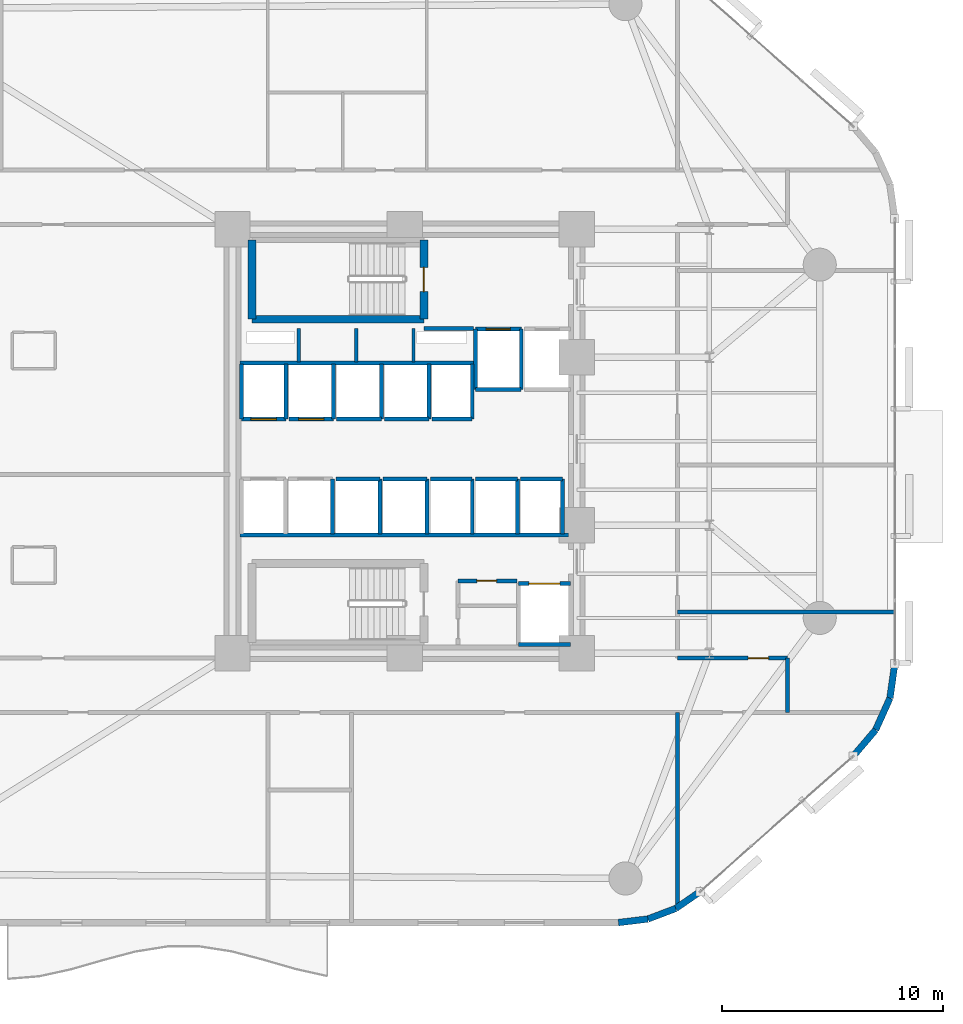
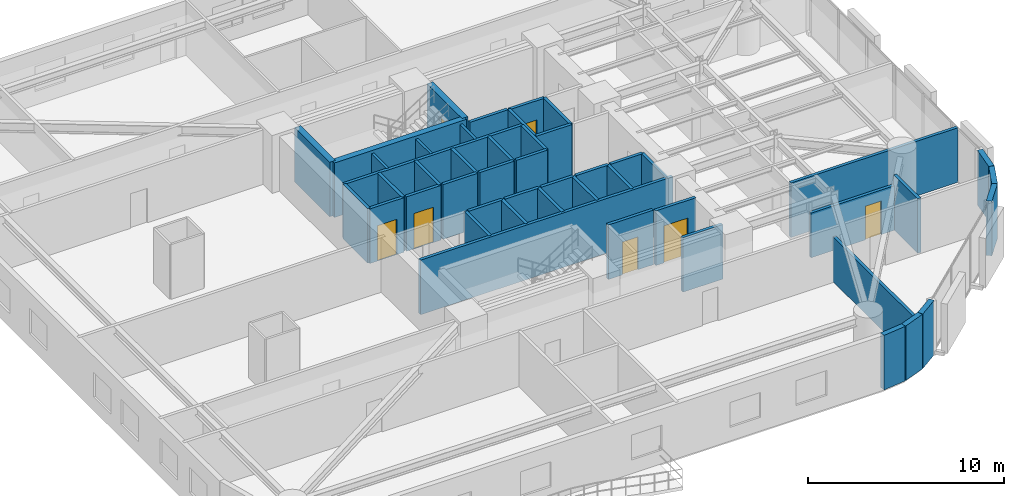
# One storey, part 11 of 16: 48 walls, 7 doors, 7 openings.
"""IFC4 building model written with IfcOpenShell, lengths in metres."""

from ifc_helpers import new_model, si_unit, direction, frame, frame_2d, origin, place, context, subcontext, project, spatial, rectangle, extrude, material, layer, layer_set, type_object, element, fill, save


model = new_model("IFC4")

# Units and contexts
model_context = context("Model", 3, precision=1e-05, world=origin(), true_north=direction((0.0, 1.0)))
body_context = subcontext(model_context, "Body", "Model", "MODEL_VIEW")
ifc_project = project(units=[si_unit("LENGTHUNIT", "METRE"), si_unit("AREAUNIT", "SQUARE_METRE"), si_unit("VOLUMEUNIT", "CUBIC_METRE"), si_unit("PLANEANGLEUNIT", "RADIAN"), si_unit("MASSUNIT", "GRAM", prefix="KILO")], contexts=[model_context])

# Site, building, storey
site_placement = place(None, origin())
site = spatial("IfcSite", under=ifc_project, at=site_placement, CompositionType="ELEMENT")
building_placement = place(site_placement, origin())
building = spatial("IfcBuilding", under=site, at=building_placement, Name="An Khanh Terracotta Commons", CompositionType="ELEMENT")
storey_placement = place(building_placement, frame((0.0, 0.0, 39.60009765625)))
storey = spatial("IfcBuildingStorey", under=building, at=storey_placement, Name="L10", CompositionType="ELEMENT", Elevation=39.60009765625)

# Walls
ifc_material_1 = material(Name="Fire-Rated Gypsum Board on Steel Stud", Category="steel")
ifc_layer_1 = layer(ifc_material_1, 0.179931640625, Name="Fire-Rated Gypsum Board on Steel Stud")
ifc_layer_set_1 = layer_set([ifc_layer_1], Name="Fire-Rated Gypsum Board on Steel Stud")
wall_type_1 = type_object("IfcWallType", Name="WALL-CORR-180", PredefinedType="PARTITIONING", material=ifc_layer_set_1)
wall_1_placement = place(storey_placement, frame((30.27001953125, 29.1201171875, 0.0), z_axis=(0.0, 0.0, 1.0), x_axis=(1.0, 0.0, 0.0)))
element("IfcWall", 1, at=wall_1_placement, inside=storey, type_object=wall_type_1, Name="L10 Core Wall FFLW-L10-S", PredefinedType="PARTITIONING", context=body_context, shape_type="SweptSolid", body=[
    extrude(rectangle(XDim=2.239990234375, YDim=0.179931640625, at=frame_2d((1.1201171875, 0.0))), origin(), (0.0, 0.0, 1.0), 3.39990234375),
])
wall_2_placement = place(storey_placement, frame((21.949951171875, 27.5400390625, 0.0), z_axis=(0.0, 0.0, 1.0), x_axis=(1.0, 0.0, 0.0)))
element("IfcWall", 2, at=wall_2_placement, inside=storey, type_object=wall_type_1, Name="L10 Core Wall RSRW-L10-S", PredefinedType="PARTITIONING", context=body_context, shape_type="SweptSolid", body=[
    extrude(rectangle(XDim=10.56005859375, YDim=0.179931640625, at=frame_2d((5.280029296875, 0.0))), origin(), (0.0, 0.0, 1.0), 3.39990234375),
])
wall_3_placement = place(storey_placement, frame((21.949951171875, 19.760009765625, 0.0), z_axis=(0.0, 0.0, 1.0), x_axis=(1.0, 0.0, 0.0)))
element("IfcWall", 3, at=wall_3_placement, inside=storey, type_object=wall_type_1, Name="L10 Core Wall SVW-L10-N", PredefinedType="PARTITIONING", context=body_context, shape_type="SweptSolid", body=[
    extrude(rectangle(XDim=14.8701171875, YDim=0.179931640625, at=frame_2d((7.43505859375, 0.0))), origin(), (0.0, 0.0, 1.0), 3.39990234375),
])

# Wall, opening, door
wall_4_placement = place(storey_placement, frame((31.820068359375, 17.679931640625, 0.0), z_axis=(0.0, 0.0, 1.0), x_axis=(1.0, 0.0, 0.0)))
wall_4 = element("IfcWall", 4, at=wall_4_placement, inside=storey, type_object=wall_type_1, Name="L10 Core Wall SSVCW-L10-N", PredefinedType="PARTITIONING", context=body_context, shape_type="SweptSolid", body=[
    extrude(rectangle(XDim=2.659912109375, YDim=0.179931640625, at=frame_2d((1.330078125, 0.0))), origin(), (0.0, 0.0, 1.0), 3.39990234375),
])
opening_1_placement = place(wall_4_placement, frame((0.85009765625, 0.0, 0.0)))
opening_1 = element("IfcOpeningElement", 5, at=opening_1_placement, cuts=wall_4, Name="Opening D-SV", PredefinedType="OPENING", context=body_context, shape_type="SweptSolid", body=[
    extrude(rectangle(XDim=0.89990234375, YDim=2.050048828125, at=frame_2d((0.449951171875, 1.02490234375))), frame((0.0, 0.099853515625, 0.0), z_axis=(0.0, -1.0, 0.0), x_axis=(1.0, 0.0, 0.0)), (0.0, 0.0, 1.0), 0.199951171875),
])
ifc_material_2 = material(Name="Fire-Rated Powder-Coated Steel Door", Category="steel")
door_type_1 = type_object("IfcDoorType", Name="DOOR-SERV-900", OperationType="NOTDEFINED", PredefinedType="DOOR", material=ifc_material_2)
door_1_placement = place(opening_1_placement, origin())
door_1 = element("IfcDoor", 6, at=door_1_placement, inside=storey, type_object=door_type_1, Name="L10 Core Cleaner Store Door", OperationType="SINGLE_SWING_RIGHT", OverallHeight=2.050048828125, OverallWidth=0.89990234375, PredefinedType="DOOR", context=body_context, shape_type="SweptSolid", body=[
    extrude(rectangle(XDim=0.89990234375, YDim=2.050048828125, at=frame_2d((0.449951171875, 1.02490234375))), frame((0.0, 0.02490234375, 0.0), z_axis=(0.0, -1.0, 0.0), x_axis=(1.0, 0.0, 0.0)), (0.0, 0.0, 1.0), 0.050048828125),
])
fill(opening_1, door_1)

wall_5_placement = place(storey_placement, frame((32.60009765625, 29.080078125, 0.0), z_axis=(0.0, 0.0, 1.0), x_axis=(1.0, 0.0, 0.0)))
wall_5 = element("IfcWall", 7, at=wall_5_placement, inside=storey, type_object=wall_type_1, Name="L10 Core Wall LSH-L10-FFL-01-N", PredefinedType="PARTITIONING", context=body_context, shape_type="SweptSolid", body=[
    extrude(rectangle(XDim=2.079833984375, YDim=0.179931640625, at=frame_2d((1.0400390625, 0.0))), origin(), (0.0, 0.0, 1.0), 3.39990234375),
])
opening_2_placement = place(wall_5_placement, frame((0.489990234375, 0.0, 0.0)))
opening_2 = element("IfcOpeningElement", 8, at=opening_2_placement, cuts=wall_5, Name="Opening LD-FFL-01-L10", PredefinedType="OPENING", context=body_context, shape_type="SweptSolid", body=[
    extrude(rectangle(XDim=1.10009765625, YDim=2.199951171875, at=frame_2d((0.550048828125, 1.10009765625))), frame((0.0, 0.099853515625, 0.0), z_axis=(0.0, -1.0, 0.0), x_axis=(1.0, 0.0, 0.0)), (0.0, 0.0, 1.0), 0.199951171875),
])
ifc_material_3 = material(Name="Brushed Stainless Steel Fire Landing Door", Category="steel")
door_type_2 = type_object("IfcDoorType", Name="DOOR-LD-FFL-1100", OperationType="NOTDEFINED", PredefinedType="DOOR", material=ifc_material_3)
door_2_placement = place(opening_2_placement, origin())
door_2 = element("IfcDoor", 9, at=door_2_placement, inside=storey, type_object=door_type_2, Name="L10 Lift FFL-01 Sliding Landing Door", OperationType="DOUBLE_DOOR_SLIDING", OverallHeight=2.199951171875, OverallWidth=1.10009765625, PredefinedType="DOOR", context=body_context, shape_type="SweptSolid", body=[
    extrude(rectangle(XDim=1.10009765625, YDim=2.199951171875, at=frame_2d((0.550048828125, 1.10009765625))), frame((0.0, 0.02490234375, 0.0), z_axis=(0.0, -1.0, 0.0), x_axis=(1.0, 0.0, 0.0)), (0.0, 0.0, 1.0), 0.050048828125),
])
fill(opening_2, door_2)

# Walls
wall_6_placement = place(storey_placement, frame((34.679931640625, 26.35009765625, 0.0), z_axis=(0.0, 0.0, 1.0), x_axis=(-1.0, 0.0, 0.0)))
element("IfcWall", 10, at=wall_6_placement, inside=storey, type_object=wall_type_1, Name="L10 Core Wall LSH-L10-FFL-01-S", PredefinedType="PARTITIONING", context=body_context, shape_type="SweptSolid", body=[
    extrude(rectangle(XDim=2.079833984375, YDim=0.179931640625, at=frame_2d((1.0400390625, 0.0))), origin(), (0.0, 0.0, 1.0), 3.39990234375),
])
for number, where, z_axis, x_axis, name in (
    (11, (34.679931640625, 26.35009765625, 0.0), (0.0, 0.0, 1.0), (0.0, 1.0, 0.0), "L10 Core Wall LSH-L10-FFL-01-E"),
    (12, (32.60009765625, 29.080078125, 0.0), (0.0, 0.0, 1.0), (0.0, -1.0, 0.0), "L10 Core Wall LSH-L10-FFL-01-W"),
):
    element("IfcWall", number, at=place(storey_placement, frame(where, z_axis=z_axis, x_axis=x_axis)), inside=storey, type_object=wall_type_1, Name=name, PredefinedType="PARTITIONING", context=body_context, shape_type="SweptSolid", body=[
        extrude(rectangle(XDim=2.72998046875, YDim=0.179931640625, at=frame_2d((1.364990234375, 0.0))), origin(), (0.0, 0.0, 1.0), 3.39990234375),
    ])

# Wall, opening, door
wall_7_placement = place(storey_placement, frame((34.550048828125, 17.550048828125, 0.0), z_axis=(0.0, 0.0, 1.0), x_axis=(1.0, 0.0, 0.0)))
wall_7 = element("IfcWall", 13, at=wall_7_placement, inside=storey, type_object=wall_type_1, Name="L10 Core Wall LSH-L10-SVL-01-N", PredefinedType="PARTITIONING", context=body_context, shape_type="SweptSolid", body=[
    extrude(rectangle(XDim=2.349853515625, YDim=0.179931640625, at=frame_2d((1.1748046875, 0.0))), origin(), (0.0, 0.0, 1.0), 3.39990234375),
])
opening_3_placement = place(wall_7_placement, frame((0.47509765625, 0.0, 0.0)))
opening_3 = element("IfcOpeningElement", 14, at=opening_3_placement, cuts=wall_7, Name="Opening LD-SVL-01-L10", PredefinedType="OPENING", context=body_context, shape_type="SweptSolid", body=[
    extrude(rectangle(XDim=1.39990234375, YDim=2.300048828125, at=frame_2d((0.699951171875, 1.14990234375))), frame((0.0, 0.099853515625, 0.0), z_axis=(0.0, -1.0, 0.0), x_axis=(1.0, 0.0, 0.0)), (0.0, 0.0, 1.0), 0.199951171875),
])
ifc_material_4 = material(Name="Heavy-Duty Stainless Steel Goods Landing Door", Category="steel")
door_type_3 = type_object("IfcDoorType", Name="DOOR-LD-SVL-1400", OperationType="NOTDEFINED", PredefinedType="DOOR", material=ifc_material_4)
door_3_placement = place(opening_3_placement, origin())
door_3 = element("IfcDoor", 15, at=door_3_placement, inside=storey, type_object=door_type_3, Name="L10 Lift SVL-01 Sliding Landing Door", OperationType="DOUBLE_DOOR_SLIDING", OverallHeight=2.300048828125, OverallWidth=1.39990234375, PredefinedType="DOOR", context=body_context, shape_type="SweptSolid", body=[
    extrude(rectangle(XDim=1.39990234375, YDim=2.300048828125, at=frame_2d((0.699951171875, 1.14990234375))), frame((0.0, 0.02490234375, 0.0), z_axis=(0.0, -1.0, 0.0), x_axis=(1.0, 0.0, 0.0)), (0.0, 0.0, 1.0), 0.050048828125),
])
fill(opening_3, door_3)

# Wall
wall_8_placement = place(storey_placement, frame((36.89990234375, 14.800048828125, 0.0), z_axis=(0.0, 0.0, 1.0), x_axis=(-1.0, 0.0, 0.0)))
element("IfcWall", 16, at=wall_8_placement, inside=storey, type_object=wall_type_1, Name="L10 Core Wall LSH-L10-SVL-01-S", PredefinedType="PARTITIONING", context=body_context, shape_type="SweptSolid", body=[
    extrude(rectangle(XDim=2.349853515625, YDim=0.179931640625, at=frame_2d((1.1748046875, 0.0))), origin(), (0.0, 0.0, 1.0), 3.39990234375),
])

# Wall, opening, door
wall_9_placement = place(storey_placement, frame((24.02001953125, 25.0, 0.0), z_axis=(0.0, 0.0, 1.0), x_axis=(-1.0, 0.0, 0.0)))
wall_9 = element("IfcWall", 17, at=wall_9_placement, inside=storey, type_object=wall_type_1, Name="L10 Core Wall LSH-L10-PL-L1-S", PredefinedType="PARTITIONING", context=body_context, shape_type="SweptSolid", body=[
    extrude(rectangle(XDim=2.02001953125, YDim=0.179931640625, at=frame_2d((1.010009765625, 0.0))), origin(), (0.0, 0.0, 1.0), 3.39990234375),
])
opening_4_placement = place(wall_9_placement, frame((0.43505859375, 0.0, 0.0)))
opening_4 = element("IfcOpeningElement", 18, at=opening_4_placement, cuts=wall_9, Name="Opening LD-PL-L1-L10", PredefinedType="OPENING", context=body_context, shape_type="SweptSolid", body=[
    extrude(rectangle(XDim=1.14990234375, YDim=2.199951171875, at=frame_2d((0.574951171875, 1.10009765625))), frame((0.0, 0.099853515625, 0.0), z_axis=(0.0, -1.0, 0.0), x_axis=(1.0, 0.0, 0.0)), (0.0, 0.0, 1.0), 0.199951171875),
])
ifc_material_5 = material(Name="Brushed Stainless Steel Passenger Landing Door", Category="steel")
door_type_4 = type_object("IfcDoorType", Name="DOOR-LD-PAX-1150", OperationType="NOTDEFINED", PredefinedType="DOOR", material=ifc_material_5)
door_4_placement = place(opening_4_placement, origin())
door_4 = element("IfcDoor", 19, at=door_4_placement, inside=storey, type_object=door_type_4, Name="L10 Lift PL-L1 Sliding Landing Door", OperationType="DOUBLE_DOOR_SLIDING", OverallHeight=2.199951171875, OverallWidth=1.14990234375, PredefinedType="DOOR", context=body_context, shape_type="SweptSolid", body=[
    extrude(rectangle(XDim=1.14990234375, YDim=2.199951171875, at=frame_2d((0.574951171875, 1.10009765625))), frame((0.0, 0.02490234375, 0.0), z_axis=(0.0, -1.0, 0.0), x_axis=(1.0, 0.0, 0.0)), (0.0, 0.0, 1.0), 0.050048828125),
])
fill(opening_4, door_4)

# Walls
for number, where, z_axis, x_axis, name in (
    (20, (24.02001953125, 25.0, 0.0), (0.0, 0.0, 1.0), (0.0, 1.0, 0.0), "L10 Core Wall LSH-L10-PL-L1-E"),
    (21, (22.0, 27.5, 0.0), (0.0, 0.0, 1.0), (0.0, -1.0, 0.0), "L10 Core Wall LSH-L10-PL-L1-W"),
):
    element("IfcWall", number, at=place(storey_placement, frame(where, z_axis=z_axis, x_axis=x_axis)), inside=storey, type_object=wall_type_1, Name=name, PredefinedType="PARTITIONING", context=body_context, shape_type="SweptSolid", body=[
        extrude(rectangle(XDim=2.5, YDim=0.179931640625, at=frame_2d((1.25, 0.0))), origin(), (0.0, 0.0, 1.0), 3.39990234375),
    ])

# Wall, opening, door
wall_10_placement = place(storey_placement, frame((26.179931640625, 25.0, 0.0), z_axis=(0.0, 0.0, 1.0), x_axis=(-1.0, 0.0, 0.0)))
wall_10 = element("IfcWall", 22, at=wall_10_placement, inside=storey, type_object=wall_type_1, Name="L10 Core Wall LSH-L10-PL-L2-S", PredefinedType="PARTITIONING", context=body_context, shape_type="SweptSolid", body=[
    extrude(rectangle(XDim=2.02001953125, YDim=0.179931640625, at=frame_2d((1.010009765625, 0.0))), origin(), (0.0, 0.0, 1.0), 3.39990234375),
])
opening_5_placement = place(wall_10_placement, frame((0.43505859375, 0.0, 0.0)))
opening_5 = element("IfcOpeningElement", 23, at=opening_5_placement, cuts=wall_10, Name="Opening LD-PL-L2-L10", PredefinedType="OPENING", context=body_context, shape_type="SweptSolid", body=[
    extrude(rectangle(XDim=1.14990234375, YDim=2.199951171875, at=frame_2d((0.574951171875, 1.10009765625))), frame((0.0, 0.099853515625, 0.0), z_axis=(0.0, -1.0, 0.0), x_axis=(1.0, 0.0, 0.0)), (0.0, 0.0, 1.0), 0.199951171875),
])
door_5_placement = place(opening_5_placement, origin())
door_5 = element("IfcDoor", 24, at=door_5_placement, inside=storey, type_object=door_type_4, Name="L10 Lift PL-L2 Sliding Landing Door", OperationType="DOUBLE_DOOR_SLIDING", OverallHeight=2.199951171875, OverallWidth=1.14990234375, PredefinedType="DOOR", context=body_context, shape_type="SweptSolid", body=[
    extrude(rectangle(XDim=1.14990234375, YDim=2.199951171875, at=frame_2d((0.574951171875, 1.10009765625))), frame((0.0, 0.02490234375, 0.0), z_axis=(0.0, -1.0, 0.0), x_axis=(1.0, 0.0, 0.0)), (0.0, 0.0, 1.0), 0.050048828125),
])
fill(opening_5, door_5)

# Walls
for number, where, z_axis, x_axis, name in (
    (25, (26.179931640625, 25.0, 0.0), (0.0, 0.0, 1.0), (0.0, 1.0, 0.0), "L10 Core Wall LSH-L10-PL-L2-E"),
    (26, (26.139892578125, 19.800048828125, 0.0), (0.0, 0.0, 1.0), (0.0, 1.0, 0.0), "L10 Core Wall LSH-L10-PL-L4-E"),
):
    element("IfcWall", number, at=place(storey_placement, frame(where, z_axis=z_axis, x_axis=x_axis)), inside=storey, type_object=wall_type_1, Name=name, PredefinedType="PARTITIONING", context=body_context, shape_type="SweptSolid", body=[
        extrude(rectangle(XDim=2.5, YDim=0.179931640625, at=frame_2d((1.25, 0.0))), origin(), (0.0, 0.0, 1.0), 3.39990234375),
    ])
wall_11_placement = place(storey_placement, frame((28.340087890625, 25.0, 0.0), z_axis=(0.0, 0.0, 1.0), x_axis=(-1.0, 0.0, 0.0)))
element("IfcWall", 27, at=wall_11_placement, inside=storey, type_object=wall_type_1, Name="L10 Core Wall LSH-L10-PL-M1-S", PredefinedType="PARTITIONING", context=body_context, shape_type="SweptSolid", body=[
    extrude(rectangle(XDim=2.02001953125, YDim=0.179931640625, at=frame_2d((1.010009765625, 0.0))), origin(), (0.0, 0.0, 1.0), 3.39990234375),
])
wall_12_placement = place(storey_placement, frame((28.340087890625, 25.0, 0.0), z_axis=(0.0, 0.0, 1.0), x_axis=(0.0, 1.0, 0.0)))
element("IfcWall", 28, at=wall_12_placement, inside=storey, type_object=wall_type_1, Name="L10 Core Wall LSH-L10-PL-M1-E", PredefinedType="PARTITIONING", context=body_context, shape_type="SweptSolid", body=[
    extrude(rectangle(XDim=2.5, YDim=0.179931640625, at=frame_2d((1.25, 0.0))), origin(), (0.0, 0.0, 1.0), 3.39990234375),
])
wall_13_placement = place(storey_placement, frame((30.5, 25.0, 0.0), z_axis=(0.0, 0.0, 1.0), x_axis=(-1.0, 0.0, 0.0)))
element("IfcWall", 29, at=wall_13_placement, inside=storey, type_object=wall_type_1, Name="L10 Core Wall LSH-L10-PL-M2-S", PredefinedType="PARTITIONING", context=body_context, shape_type="SweptSolid", body=[
    extrude(rectangle(XDim=2.02001953125, YDim=0.179931640625, at=frame_2d((1.010009765625, 0.0))), origin(), (0.0, 0.0, 1.0), 3.39990234375),
])
wall_14_placement = place(storey_placement, frame((30.5, 25.0, 0.0), z_axis=(0.0, 0.0, 1.0), x_axis=(0.0, 1.0, 0.0)))
element("IfcWall", 30, at=wall_14_placement, inside=storey, type_object=wall_type_1, Name="L10 Core Wall LSH-L10-PL-M2-E", PredefinedType="PARTITIONING", context=body_context, shape_type="SweptSolid", body=[
    extrude(rectangle(XDim=2.5, YDim=0.179931640625, at=frame_2d((1.25, 0.0))), origin(), (0.0, 0.0, 1.0), 3.39990234375),
])
wall_15_placement = place(storey_placement, frame((26.280029296875, 22.300048828125, 0.0), z_axis=(0.0, 0.0, 1.0), x_axis=(1.0, 0.0, 0.0)))
element("IfcWall", 31, at=wall_15_placement, inside=storey, type_object=wall_type_1, Name="L10 Core Wall LSH-L10-PL-M3-N", PredefinedType="PARTITIONING", context=body_context, shape_type="SweptSolid", body=[
    extrude(rectangle(XDim=2.0, YDim=0.179931640625, at=frame_2d((1.0, 0.0))), origin(), (0.0, 0.0, 1.0), 3.39990234375),
])
wall_16_placement = place(storey_placement, frame((28.280029296875, 19.800048828125, 0.0), z_axis=(0.0, 0.0, 1.0), x_axis=(0.0, 1.0, 0.0)))
element("IfcWall", 32, at=wall_16_placement, inside=storey, type_object=wall_type_1, Name="L10 Core Wall LSH-L10-PL-M3-E", PredefinedType="PARTITIONING", context=body_context, shape_type="SweptSolid", body=[
    extrude(rectangle(XDim=2.5, YDim=0.179931640625, at=frame_2d((1.25, 0.0))), origin(), (0.0, 0.0, 1.0), 3.39990234375),
])
wall_17_placement = place(storey_placement, frame((28.419921875, 22.300048828125, 0.0), z_axis=(0.0, 0.0, 1.0), x_axis=(1.0, 0.0, 0.0)))
element("IfcWall", 33, at=wall_17_placement, inside=storey, type_object=wall_type_1, Name="L10 Core Wall LSH-L10-PL-M4-N", PredefinedType="PARTITIONING", context=body_context, shape_type="SweptSolid", body=[
    extrude(rectangle(XDim=2.0, YDim=0.179931640625, at=frame_2d((1.0, 0.0))), origin(), (0.0, 0.0, 1.0), 3.39990234375),
])
wall_18_placement = place(storey_placement, frame((30.419921875, 19.800048828125, 0.0), z_axis=(0.0, 0.0, 1.0), x_axis=(0.0, 1.0, 0.0)))
element("IfcWall", 34, at=wall_18_placement, inside=storey, type_object=wall_type_1, Name="L10 Core Wall LSH-L10-PL-M4-E", PredefinedType="PARTITIONING", context=body_context, shape_type="SweptSolid", body=[
    extrude(rectangle(XDim=2.5, YDim=0.179931640625, at=frame_2d((1.25, 0.0))), origin(), (0.0, 0.0, 1.0), 3.39990234375),
])
wall_19_placement = place(storey_placement, frame((32.4599609375, 25.0, 0.0), z_axis=(0.0, 0.0, 1.0), x_axis=(-1.0, 0.0, 0.0)))
element("IfcWall", 35, at=wall_19_placement, inside=storey, type_object=wall_type_1, Name="L10 Core Wall LSH-L10-PL-H1-S", PredefinedType="PARTITIONING", context=body_context, shape_type="SweptSolid", body=[
    extrude(rectangle(XDim=1.820068359375, YDim=0.179931640625, at=frame_2d((0.91015625, 0.0))), origin(), (0.0, 0.0, 1.0), 3.39990234375),
])
wall_20_placement = place(storey_placement, frame((32.4599609375, 25.0, 0.0), z_axis=(0.0, 0.0, 1.0), x_axis=(0.0, 1.0, 0.0)))
element("IfcWall", 36, at=wall_20_placement, inside=storey, type_object=wall_type_1, Name="L10 Core Wall LSH-L10-PL-H1-E", PredefinedType="PARTITIONING", context=body_context, shape_type="SweptSolid", body=[
    extrude(rectangle(XDim=2.5, YDim=0.179931640625, at=frame_2d((1.25, 0.0))), origin(), (0.0, 0.0, 1.0), 3.39990234375),
])
wall_21_placement = place(storey_placement, frame((30.56005859375, 22.300048828125, 0.0), z_axis=(0.0, 0.0, 1.0), x_axis=(1.0, 0.0, 0.0)))
element("IfcWall", 37, at=wall_21_placement, inside=storey, type_object=wall_type_1, Name="L10 Core Wall LSH-L10-PL-H2-N", PredefinedType="PARTITIONING", context=body_context, shape_type="SweptSolid", body=[
    extrude(rectangle(XDim=1.89990234375, YDim=0.179931640625, at=frame_2d((0.949951171875, 0.0))), origin(), (0.0, 0.0, 1.0), 3.39990234375),
])
wall_22_placement = place(storey_placement, frame((32.4599609375, 19.800048828125, 0.0), z_axis=(0.0, 0.0, 1.0), x_axis=(0.0, 1.0, 0.0)))
element("IfcWall", 38, at=wall_22_placement, inside=storey, type_object=wall_type_1, Name="L10 Core Wall LSH-L10-PL-H2-E", PredefinedType="PARTITIONING", context=body_context, shape_type="SweptSolid", body=[
    extrude(rectangle(XDim=2.5, YDim=0.179931640625, at=frame_2d((1.25, 0.0))), origin(), (0.0, 0.0, 1.0), 3.39990234375),
])
wall_23_placement = place(storey_placement, frame((32.60009765625, 22.300048828125, 0.0), z_axis=(0.0, 0.0, 1.0), x_axis=(1.0, 0.0, 0.0)))
element("IfcWall", 39, at=wall_23_placement, inside=storey, type_object=wall_type_1, Name="L10 Core Wall LSH-L10-PL-H3-N", PredefinedType="PARTITIONING", context=body_context, shape_type="SweptSolid", body=[
    extrude(rectangle(XDim=1.89990234375, YDim=0.179931640625, at=frame_2d((0.949951171875, 0.0))), origin(), (0.0, 0.0, 1.0), 3.39990234375),
])
wall_24_placement = place(storey_placement, frame((34.5, 19.800048828125, 0.0), z_axis=(0.0, 0.0, 1.0), x_axis=(0.0, 1.0, 0.0)))
element("IfcWall", 40, at=wall_24_placement, inside=storey, type_object=wall_type_1, Name="L10 Core Wall LSH-L10-PL-H3-E", PredefinedType="PARTITIONING", context=body_context, shape_type="SweptSolid", body=[
    extrude(rectangle(XDim=2.5, YDim=0.179931640625, at=frame_2d((1.25, 0.0))), origin(), (0.0, 0.0, 1.0), 3.39990234375),
])
wall_25_placement = place(storey_placement, frame((34.639892578125, 22.300048828125, 0.0), z_axis=(0.0, 0.0, 1.0), x_axis=(1.0, 0.0, 0.0)))
element("IfcWall", 41, at=wall_25_placement, inside=storey, type_object=wall_type_1, Name="L10 Core Wall LSH-L10-PL-H4-N", PredefinedType="PARTITIONING", context=body_context, shape_type="SweptSolid", body=[
    extrude(rectangle(XDim=1.900146484375, YDim=0.179931640625, at=frame_2d((0.9501953125, 0.0))), origin(), (0.0, 0.0, 1.0), 3.39990234375),
])
wall_26_placement = place(storey_placement, frame((36.5400390625, 19.800048828125, 0.0), z_axis=(0.0, 0.0, 1.0), x_axis=(0.0, 1.0, 0.0)))
element("IfcWall", 42, at=wall_26_placement, inside=storey, type_object=wall_type_1, Name="L10 Core Wall LSH-L10-PL-H4-E", PredefinedType="PARTITIONING", context=body_context, shape_type="SweptSolid", body=[
    extrude(rectangle(XDim=2.5, YDim=0.179931640625, at=frame_2d((1.25, 0.0))), origin(), (0.0, 0.0, 1.0), 3.39990234375),
])

# Wall, opening, door
wall_27_placement = place(storey_placement, frame((41.75, 14.179931640625, 0.0), z_axis=(0.0, 0.0, 1.0), x_axis=(1.0, 0.0, 0.0)))
wall_27 = element("IfcWall", 43, at=wall_27_placement, inside=storey, type_object=wall_type_1, Name="L10 Interior Partition IW-L10-E004", PredefinedType="PARTITIONING", context=body_context, shape_type="SweptSolid", body=[
    extrude(rectangle(XDim=5.0, YDim=0.179931640625, at=frame_2d((2.5, 0.0))), origin(), (0.0, 0.0, 1.0), 2.781982421875),
])
opening_6_placement = place(wall_27_placement, frame((3.208984375, 0.0, 0.0)))
opening_6 = element("IfcOpeningElement", 44, at=opening_6_placement, cuts=wall_27, Name="Opening D-RM", PredefinedType="OPENING", context=body_context, shape_type="SweptSolid", body=[
    extrude(rectangle(XDim=0.919921875, YDim=2.10009765625, at=frame_2d((0.4599609375, 1.050048828125))), frame((0.0, 0.099853515625, 0.0), z_axis=(0.0, -1.0, 0.0), x_axis=(1.0, 0.0, 0.0)), (0.0, 0.0, 1.0), 0.199951171875),
])
ifc_material_6 = material(Name="Engineered Hardwood Timber Leaf", Category="wood")
door_type_5 = type_object("IfcDoorType", Name="DOOR-INT-920", OperationType="NOTDEFINED", PredefinedType="DOOR", material=ifc_material_6)
door_6_placement = place(opening_6_placement, origin())
door_6 = element("IfcDoor", 45, at=door_6_placement, inside=storey, type_object=door_type_5, Name="L10 FAN1 Co-Living Private Bedroom Door", OperationType="SINGLE_SWING_LEFT", OverallHeight=2.10009765625, OverallWidth=0.919921875, PredefinedType="DOOR", context=body_context, shape_type="SweptSolid", body=[
    extrude(rectangle(XDim=0.919921875, YDim=2.10009765625, at=frame_2d((0.4599609375, 1.050048828125))), frame((0.0, 0.02490234375, 0.0), z_axis=(0.0, -1.0, 0.0), x_axis=(1.0, 0.0, 0.0)), (0.0, 0.0, 1.0), 0.050048828125),
])
fill(opening_6, door_6)

# Walls
wall_28_placement = place(storey_placement, frame((41.75, 16.258056640625, 0.0), z_axis=(0.0, 0.0, 1.0), x_axis=(1.0, 0.0, 0.0)))
element("IfcWall", 46, at=wall_28_placement, inside=storey, type_object=wall_type_1, Name="L10 Interior Partition IW-L10-E005", PredefinedType="PARTITIONING", context=body_context, shape_type="SweptSolid", body=[
    extrude(rectangle(XDim=9.85009765625, YDim=0.179931640625, at=frame_2d((4.925048828125, 0.0))), origin(), (0.0, 0.0, 1.0), 3.39990234375),
])
wall_29_placement = place(storey_placement, frame((41.75, 2.888916015625, 0.0), z_axis=(0.0, 0.0, 1.0), x_axis=(0.0, 1.0, 0.0)))
element("IfcWall", 47, at=wall_29_placement, inside=storey, type_object=wall_type_1, Name="L10 Interior Partition IW-L10-E021", PredefinedType="PARTITIONING", context=body_context, shape_type="SweptSolid", body=[
    extrude(rectangle(XDim=8.8310546875, YDim=0.179931640625, at=frame_2d((4.41552734375, 0.0))), origin(), (0.0, 0.0, 1.0), 2.781982421875),
])
wall_30_placement = place(storey_placement, frame((46.75, 11.719970703125, 0.0), z_axis=(0.0, 0.0, 1.0), x_axis=(0.0, 1.0, 0.0)))
element("IfcWall", 48, at=wall_30_placement, inside=storey, type_object=wall_type_1, Name="L10 Interior Partition IW-L10-E024", PredefinedType="PARTITIONING", context=body_context, shape_type="SweptSolid", body=[
    extrude(rectangle(XDim=2.4599609375, YDim=0.179931640625, at=frame_2d((1.22998046875, 0.0))), origin(), (0.0, 0.0, 1.0), 3.39990234375),
])
ifc_material_7 = material(Name="Precast concrete C40/50", Category="concrete")
ifc_layer_2 = layer(ifc_material_7, 0.300048828125, Name="Precast concrete C40/50")
ifc_layer_set_2 = layer_set([ifc_layer_2], Name="Precast concrete C40/50")
wall_type_2 = type_object("IfcWallType", Name="WALL-EXT-300", PredefinedType="SOLIDWALL", material=ifc_layer_set_2)
wall_31_placement = place(storey_placement, frame((39.0791015625, 2.199951171875, 0.0), z_axis=(0.0, 0.0, 1.0), x_axis=(0.992739027259, 0.120288086515, 0.0)))
element("IfcWall", 49, at=wall_31_placement, inside=storey, type_object=wall_type_2, Name="L10 Insulated Terracotta Exterior Wall 5", PredefinedType="SOLIDWALL", context=body_context, shape_type="SweptSolid", body=[
    extrude(rectangle(XDim=1.34765625, YDim=0.300048828125, at=frame_2d((0.673828125, 0.0))), origin(), (0.0, 0.0, 1.0), 3.39990234375),
])
wall_32_placement = place(storey_placement, frame((40.4169921875, 2.362060546875, 0.0), z_axis=(0.0, 0.0, 1.0), x_axis=(0.935156721165, 0.354234254216, 0.0)))
element("IfcWall", 50, at=wall_32_placement, inside=storey, type_object=wall_type_2, Name="L10 Insulated Terracotta Exterior Wall 6", PredefinedType="SOLIDWALL", context=body_context, shape_type="SweptSolid", body=[
    extrude(rectangle(XDim=1.349365234375, YDim=0.300048828125, at=frame_2d((0.6748046875, 0.0))), origin(), (0.0, 0.0, 1.0), 3.39990234375),
])
wall_33_placement = place(storey_placement, frame((41.678955078125, 2.840087890625, 0.0), z_axis=(0.0, 0.0, 1.0), x_axis=(0.823116500192, 0.567872544777, 0.0)))
element("IfcWall", 51, at=wall_33_placement, inside=storey, type_object=wall_type_2, Name="L10 Insulated Terracotta Exterior Wall 7", PredefinedType="SOLIDWALL", context=body_context, shape_type="SweptSolid", body=[
    extrude(rectangle(XDim=1.3486328125, YDim=0.300048828125, at=frame_2d((0.67431640625, 0.0))), origin(), (0.0, 0.0, 1.0), 3.39990234375),
])
wall_34_placement = place(storey_placement, frame((49.7099609375, 9.72802734375, 0.0), z_axis=(0.0, 0.0, 1.0), x_axis=(0.648389989909, 0.7613083613, 0.0)))
element("IfcWall", 52, at=wall_34_placement, inside=storey, type_object=wall_type_2, Name="L10 Insulated Terracotta Exterior Wall 9", PredefinedType="SOLIDWALL", context=body_context, shape_type="SweptSolid", body=[
    extrude(rectangle(XDim=1.576171875, YDim=0.300048828125, at=frame_2d((0.7880859375, 0.0))), origin(), (0.0, 0.0, 1.0), 3.39990234375),
])
wall_35_placement = place(storey_placement, frame((50.73193359375, 10.927978515625, 0.0), z_axis=(0.0, 0.0, 1.0), x_axis=(0.410996558744, 0.911636895206, 0.0)))
element("IfcWall", 53, at=wall_35_placement, inside=storey, type_object=wall_type_2, Name="L10 Insulated Terracotta Exterior Wall 10", PredefinedType="SOLIDWALL", context=body_context, shape_type="SweptSolid", body=[
    extrude(rectangle(XDim=1.57421875, YDim=0.300048828125, at=frame_2d((0.787109375, 0.0))), origin(), (0.0, 0.0, 1.0), 3.39990234375),
])
wall_36_placement = place(storey_placement, frame((51.37890625, 12.363037109375, 0.0), z_axis=(0.0, 0.0, 1.0), x_axis=(0.140380048512, 0.990097693149, 0.0)))
element("IfcWall", 54, at=wall_36_placement, inside=storey, type_object=wall_type_2, Name="L10 Insulated Terracotta Exterior Wall 11", PredefinedType="SOLIDWALL", context=body_context, shape_type="SweptSolid", body=[
    extrude(rectangle(XDim=1.57568359375, YDim=0.300048828125, at=frame_2d((0.787841796875, 0.0))), origin(), (0.0, 0.0, 1.0), 3.39990234375),
])
ifc_material_8 = material(Name="Acoustic Gypsum Board Partition")
ifc_layer_3 = layer(ifc_material_8, 0.14990234375, Name="Acoustic Gypsum Board Partition")
ifc_layer_set_3 = layer_set([ifc_layer_3], Name="Acoustic Gypsum Board Partition")
wall_type_3 = type_object("IfcWallType", Name="WALL-PART-150", PredefinedType="PARTITIONING", material=ifc_layer_set_3)
for number, where, z_axis, x_axis, name in (
    (55, (24.60009765625, 27.60009765625, 0.0), (0.0, 0.0, 1.0), (0.0, 1.0, 0.0), "L10 Core Wall RSRW-L10-D1"),
    (56, (27.199951171875, 27.60009765625, 0.0), (0.0, 0.0, 1.0), (0.0, 1.0, 0.0), "L10 Core Wall RSRW-L10-D2"),
    (57, (29.800048828125, 27.60009765625, 0.0), (0.0, 0.0, 1.0), (0.0, 1.0, 0.0), "L10 Core Wall RSRW-L10-D3"),
):
    element("IfcWall", number, at=place(storey_placement, frame(where, z_axis=z_axis, x_axis=x_axis)), inside=storey, type_object=wall_type_3, Name=name, PredefinedType="PARTITIONING", context=body_context, shape_type="SweptSolid", body=[
        extrude(rectangle(XDim=1.52001953125, YDim=0.14990234375, at=frame_2d((0.760009765625, 0.0))), origin(), (0.0, 0.0, 1.0), 3.39990234375),
    ])
ifc_material_9 = material(Name="Concrete C50/60", Category="concrete")
ifc_layer_4 = layer(ifc_material_9, 0.35009765625, Name="Concrete C50/60")
ifc_layer_set_4 = layer_set([ifc_layer_4], Name="Concrete C50/60")
wall_type_4 = type_object("IfcWallType", Name="WALL-SHAFT-350", PredefinedType="SOLIDWALL", material=ifc_layer_set_4)
wall_37_placement = place(storey_placement, frame((22.47998046875, 29.530029296875, 0.0), z_axis=(0.0, 0.0, 1.0), x_axis=(1.0, 0.0, 0.0)))
element("IfcWall", 58, at=wall_37_placement, inside=storey, type_object=wall_type_4, Name="L10 Core Wall STW-L10-N-S", PredefinedType="SOLIDWALL", context=body_context, shape_type="SweptSolid", body=[
    extrude(rectangle(XDim=7.7900390625, YDim=0.35009765625, at=frame_2d((3.89501953125, 0.0))), origin(), (0.0, 0.0, 1.0), 3.39990234375),
])
wall_38_placement = place(storey_placement, frame((22.47998046875, 29.530029296875, 0.0), z_axis=(0.0, 0.0, 1.0), x_axis=(0.0, 1.0, 0.0)))
element("IfcWall", 59, at=wall_38_placement, inside=storey, type_object=wall_type_4, Name="L10 Core Wall STW-L10-N-W", PredefinedType="SOLIDWALL", context=body_context, shape_type="SweptSolid", body=[
    extrude(rectangle(XDim=3.580078125, YDim=0.35009765625, at=frame_2d((1.7900390625, 0.0))), origin(), (0.0, 0.0, 1.0), 3.39990234375),
])

# Wall, opening, door
wall_39_placement = place(storey_placement, frame((30.27001953125, 29.530029296875, 0.0), z_axis=(0.0, 0.0, 1.0), x_axis=(0.0, 1.0, 0.0)))
wall_39 = element("IfcWall", 60, at=wall_39_placement, inside=storey, type_object=wall_type_4, Name="L10 Core Wall STW-L10-N-E", PredefinedType="SOLIDWALL", context=body_context, shape_type="SweptSolid", body=[
    extrude(rectangle(XDim=3.580078125, YDim=0.35009765625, at=frame_2d((1.7900390625, 0.0))), origin(), (0.0, 0.0, 1.0), 3.39990234375),
])
opening_7_placement = place(wall_39_placement, frame((1.25, 0.0, 0.0)))
opening_7 = element("IfcOpeningElement", 61, at=opening_7_placement, cuts=wall_39, Name="Opening D-ST", PredefinedType="OPENING", context=body_context, shape_type="SweptSolid", body=[
    extrude(rectangle(XDim=1.10009765625, YDim=2.14990234375, at=frame_2d((0.550048828125, 1.074951171875))), frame((0.0, 0.18505859375, 0.0), z_axis=(0.0, -1.0, 0.0), x_axis=(1.0, 0.0, 0.0)), (0.0, 0.0, 1.0), 0.3701171875),
])
ifc_material_10 = material(Name="Fire-Rated Steel Leaf and Frame", Category="steel")
door_type_6 = type_object("IfcDoorType", Name="DOOR-STAIR-1100", OperationType="NOTDEFINED", PredefinedType="DOOR", material=ifc_material_10)
door_7_placement = place(opening_7_placement, origin())
door_7 = element("IfcDoor", 62, at=door_7_placement, inside=storey, type_object=door_type_6, Name="L10 Stair ST-01 Fire Door", OperationType="SINGLE_SWING_RIGHT", OverallHeight=2.14990234375, OverallWidth=1.10009765625, PredefinedType="DOOR", context=body_context, shape_type="SweptSolid", body=[
    extrude(rectangle(XDim=1.10009765625, YDim=2.14990234375, at=frame_2d((0.550048828125, 1.074951171875))), frame((0.0, 0.02490234375, 0.0), z_axis=(0.0, -1.0, 0.0), x_axis=(1.0, 0.0, 0.0)), (0.0, 0.0, 1.0), 0.050048828125),
])
fill(opening_7, door_7)

save(model, "model.ifc")
